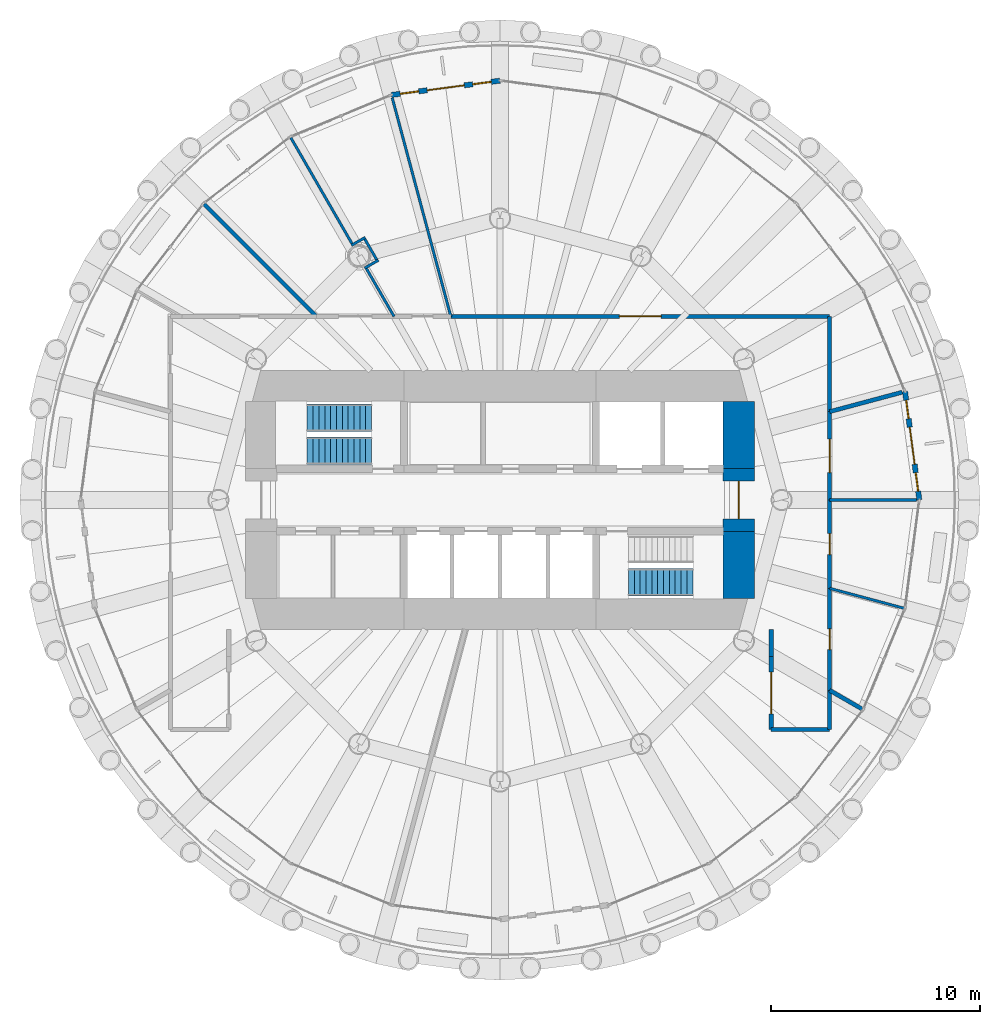
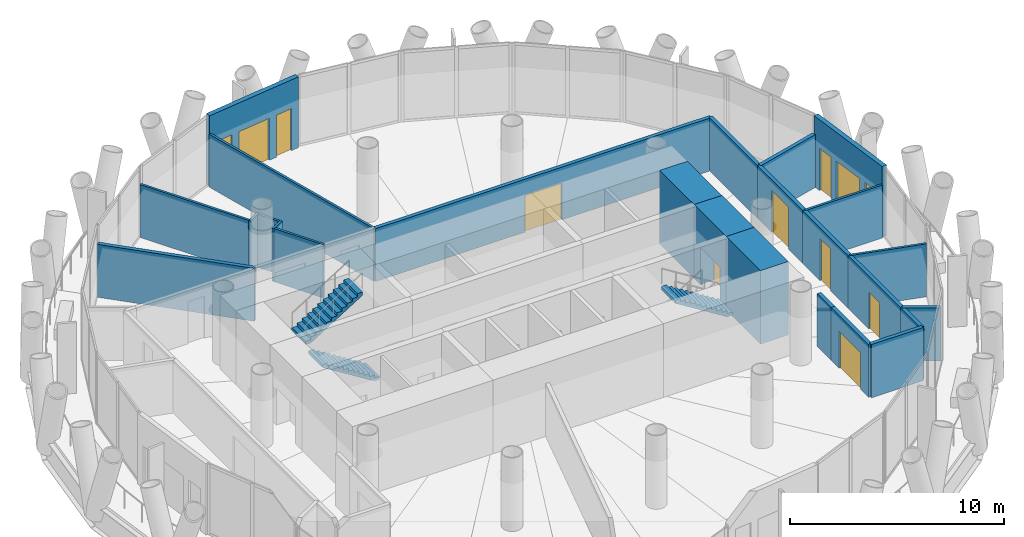
# One storey, part 10 of 14: 25 walls, 8 doors, 4 windows, 3 stair flights, 12 openings, 2 elements without a shape of their own.
"""IFC4 building model written with IfcOpenShell, lengths in metres."""

from ifc_helpers import new_model, si_unit, direction, frame, frame_2d, origin, place, context, subcontext, project, spatial, polyline, rectangle, outline, extrude, material, layer, layer_set, type_object, element, fill, aggregate, save


model = new_model("IFC4")

# Units and contexts
model_context = context("Model", 3, precision=1e-05, world=origin(), true_north=direction((0.0, 1.0)))
body_context = subcontext(model_context, "Body", "Model", "MODEL_VIEW")
ifc_project = project(units=[si_unit("LENGTHUNIT", "METRE"), si_unit("AREAUNIT", "SQUARE_METRE"), si_unit("VOLUMEUNIT", "CUBIC_METRE"), si_unit("PLANEANGLEUNIT", "RADIAN"), si_unit("MASSUNIT", "GRAM", prefix="KILO")], contexts=[model_context])

# Site, building, storey
site_placement = place(None, origin())
site = spatial("IfcSite", under=ifc_project, at=site_placement, CompositionType="ELEMENT")
building_placement = place(site_placement, origin())
building = spatial("IfcBuilding", under=site, at=building_placement, Name="Qaws Media Tower", CompositionType="ELEMENT")
storey_placement = place(building_placement, frame((0.0, 0.0, 227.60009765625)))
storey = spatial("IfcBuildingStorey", under=building, at=storey_placement, Name="L52", CompositionType="ELEMENT", Elevation=227.60009765625)

# Wall, openings, door, windows
ifc_material_1 = material(Name="Precast concrete, exposed finish", Category="concrete")
ifc_layer_1 = layer(ifc_material_1, 0.25)
ifc_layer_set_1 = layer_set([ifc_layer_1], Name="Balcony door wall 250")
wall_type_1 = type_object("IfcWallType", Name="Balcony door wall 250", PredefinedType="SOLIDWALL", material=ifc_layer_set_1)
wall_1_placement = place(storey_placement, frame((80.10009765625, 50.0, 0.0), z_axis=(0.0, 0.0, 1.0), x_axis=(-0.130560429487, 0.991440353351, 0.0)))
wall_1 = element("IfcWall", 1, at=wall_1_placement, inside=storey, type_object=wall_type_1, Name="W247 EW1 balcony door wall L52-01", PredefinedType="SOLIDWALL", context=body_context, shape_type="SweptSolid", body=[
    extrude(rectangle(XDim=5.2470703125, YDim=0.25, at=frame_2d((2.62353515625, 0.0))), origin(), (0.0, 0.0, 1.0), 4.039794921875),
])
opening_1_placement = place(wall_1_placement, frame((1.7236328125, 0.0, 0.0)))
opening_1 = element("IfcOpeningElement", 2, at=opening_1_placement, cuts=wall_1, Name="Opening D7", PredefinedType="OPENING", context=body_context, shape_type="SweptSolid", body=[
    extrude(rectangle(XDim=1.800048828125, YDim=2.39990234375, at=frame_2d((0.89990234375, 1.199951171875))), frame((0.0, 0.135009765625, 0.0), z_axis=(0.0, -1.0, 0.0), x_axis=(1.0, 0.0, 0.0)), (0.0, 0.0, 1.0), 0.27001953125),
])
opening_2_placement = place(wall_1_placement, frame((0.423583984375, 0.0, 0.0)))
opening_2 = element("IfcOpeningElement", 3, at=opening_2_placement, cuts=wall_1, Name="Opening W7", PredefinedType="OPENING", context=body_context, shape_type="SweptSolid", body=[
    extrude(rectangle(XDim=0.89990234375, YDim=2.39990234375, at=frame_2d((0.449951171875, 1.199951171875))), frame((0.0, 0.135009765625, 0.0), z_axis=(0.0, -1.0, 0.0), x_axis=(1.0, 0.0, 0.0)), (0.0, 0.0, 1.0), 0.27001953125),
])
opening_3_placement = place(wall_1_placement, frame((3.923583984375, 0.0, 0.0)))
opening_3 = element("IfcOpeningElement", 4, at=opening_3_placement, cuts=wall_1, Name="Opening W7", PredefinedType="OPENING", context=body_context, shape_type="SweptSolid", body=[
    extrude(rectangle(XDim=0.89990234375, YDim=2.39990234375, at=frame_2d((0.449951171875, 1.199951171875))), frame((0.0, 0.135009765625, 0.0), z_axis=(0.0, -1.0, 0.0), x_axis=(1.0, 0.0, 0.0)), (0.0, 0.0, 1.0), 0.27001953125),
])
ifc_material_2 = material(Name="Aluminium and clear glass", Category="aluminium")
door_type_1 = type_object("IfcDoorType", Name="Balcony door pair 1800", OperationType="DOUBLE_DOOR_SLIDING", PredefinedType="DOOR", material=ifc_material_2)
door_1_placement = place(opening_1_placement, origin())
door_1 = element("IfcDoor", 5, at=door_1_placement, inside=storey, type_object=door_type_1, Name="D7 balcony door L52-01 in wall W247", OperationType="DOUBLE_DOOR_SLIDING", OverallHeight=2.39990234375, OverallWidth=1.800048828125, PredefinedType="DOOR", context=body_context, shape_type="SweptSolid", body=[
    extrude(rectangle(XDim=1.800048828125, YDim=2.39990234375, at=frame_2d((0.89990234375, 1.199951171875))), frame((0.0, 0.02490234375, 0.0), z_axis=(0.0, -1.0, 0.0), x_axis=(1.0, 0.0, 0.0)), (0.0, 0.0, 1.0), 0.050048828125),
])
fill(opening_1, door_1)
ifc_material_3 = material(Name="Aluminium and clear glass", Category="aluminium")
window_type = type_object("IfcWindowType", Name="Balcony side window 900", PartitioningType="SINGLE_PANEL", PredefinedType="WINDOW", material=ifc_material_3)
window_1_placement = place(opening_2_placement, origin())
window_1 = element("IfcWindow", 6, at=window_1_placement, inside=storey, type_object=window_type, Name="W1 balcony side light L52-01L", OverallHeight=2.39990234375, OverallWidth=0.89990234375, PartitioningType="SINGLE_PANEL", PredefinedType="WINDOW", context=body_context, shape_type="SweptSolid", body=[
    extrude(rectangle(XDim=0.89990234375, YDim=2.39990234375, at=frame_2d((0.449951171875, 1.199951171875))), frame((0.0, 0.030029296875, 0.0), z_axis=(0.0, -1.0, 0.0), x_axis=(1.0, 0.0, 0.0)), (0.0, 0.0, 1.0), 0.06005859375),
])
fill(opening_2, window_1)
window_2_placement = place(opening_3_placement, origin())
window_2 = element("IfcWindow", 7, at=window_2_placement, inside=storey, type_object=window_type, Name="W1 balcony side light L52-01R", OverallHeight=2.39990234375, OverallWidth=0.89990234375, PartitioningType="SINGLE_PANEL", PredefinedType="WINDOW", context=body_context, shape_type="SweptSolid", body=[
    extrude(rectangle(XDim=0.89990234375, YDim=2.39990234375, at=frame_2d((0.449951171875, 1.199951171875))), frame((0.0, 0.030029296875, 0.0), z_axis=(0.0, -1.0, 0.0), x_axis=(1.0, 0.0, 0.0)), (0.0, 0.0, 1.0), 0.06005859375),
])
fill(opening_3, window_2)

wall_2_placement = place(storey_placement, frame((60.0, 70.10009765625, 0.0), z_axis=(0.0, 0.0, 1.0), x_axis=(-0.991440353351, -0.130560429487, 0.0)))
wall_2 = element("IfcWall", 8, at=wall_2_placement, inside=storey, type_object=wall_type_1, Name="W246 EW1 balcony door wall L52-07", PredefinedType="SOLIDWALL", context=body_context, shape_type="SweptSolid", body=[
    extrude(rectangle(XDim=5.2470703125, YDim=0.25, at=frame_2d((2.62353515625, 0.0))), origin(), (0.0, 0.0, 1.0), 4.039794921875),
])
opening_4_placement = place(wall_2_placement, frame((1.7236328125, 0.0, 0.0)))
opening_4 = element("IfcOpeningElement", 9, at=opening_4_placement, cuts=wall_2, Name="Opening D7", PredefinedType="OPENING", context=body_context, shape_type="SweptSolid", body=[
    extrude(rectangle(XDim=1.800048828125, YDim=2.39990234375, at=frame_2d((0.89990234375, 1.199951171875))), frame((0.0, 0.135009765625, 0.0), z_axis=(0.0, -1.0, 0.0), x_axis=(1.0, 0.0, 0.0)), (0.0, 0.0, 1.0), 0.27001953125),
])
opening_5_placement = place(wall_2_placement, frame((0.423583984375, 0.0, 0.0)))
opening_5 = element("IfcOpeningElement", 10, at=opening_5_placement, cuts=wall_2, Name="Opening W7", PredefinedType="OPENING", context=body_context, shape_type="SweptSolid", body=[
    extrude(rectangle(XDim=0.89990234375, YDim=2.39990234375, at=frame_2d((0.449951171875, 1.199951171875))), frame((0.0, 0.135009765625, 0.0), z_axis=(0.0, -1.0, 0.0), x_axis=(1.0, 0.0, 0.0)), (0.0, 0.0, 1.0), 0.27001953125),
])
opening_6_placement = place(wall_2_placement, frame((3.923583984375, 0.0, 0.0)))
opening_6 = element("IfcOpeningElement", 11, at=opening_6_placement, cuts=wall_2, Name="Opening W7", PredefinedType="OPENING", context=body_context, shape_type="SweptSolid", body=[
    extrude(rectangle(XDim=0.89990234375, YDim=2.39990234375, at=frame_2d((0.449951171875, 1.199951171875))), frame((0.0, 0.135009765625, 0.0), z_axis=(0.0, -1.0, 0.0), x_axis=(1.0, 0.0, 0.0)), (0.0, 0.0, 1.0), 0.27001953125),
])
door_2_placement = place(opening_4_placement, origin())
door_2 = element("IfcDoor", 12, at=door_2_placement, inside=storey, type_object=door_type_1, Name="D7 balcony door L52-07 in wall W246", OperationType="DOUBLE_DOOR_SLIDING", OverallHeight=2.39990234375, OverallWidth=1.800048828125, PredefinedType="DOOR", context=body_context, shape_type="SweptSolid", body=[
    extrude(rectangle(XDim=1.800048828125, YDim=2.39990234375, at=frame_2d((0.89990234375, 1.199951171875))), frame((0.0, 0.02490234375, 0.0), z_axis=(0.0, -1.0, 0.0), x_axis=(1.0, 0.0, 0.0)), (0.0, 0.0, 1.0), 0.050048828125),
])
fill(opening_4, door_2)
window_3_placement = place(opening_5_placement, origin())
window_3 = element("IfcWindow", 13, at=window_3_placement, inside=storey, type_object=window_type, Name="W1 balcony side light L52-07L", OverallHeight=2.39990234375, OverallWidth=0.89990234375, PartitioningType="SINGLE_PANEL", PredefinedType="WINDOW", context=body_context, shape_type="SweptSolid", body=[
    extrude(rectangle(XDim=0.89990234375, YDim=2.39990234375, at=frame_2d((0.449951171875, 1.199951171875))), frame((0.0, 0.030029296875, 0.0), z_axis=(0.0, -1.0, 0.0), x_axis=(1.0, 0.0, 0.0)), (0.0, 0.0, 1.0), 0.06005859375),
])
fill(opening_5, window_3)
window_4_placement = place(opening_6_placement, origin())
window_4 = element("IfcWindow", 14, at=window_4_placement, inside=storey, type_object=window_type, Name="W1 balcony side light L52-07R", OverallHeight=2.39990234375, OverallWidth=0.89990234375, PartitioningType="SINGLE_PANEL", PredefinedType="WINDOW", context=body_context, shape_type="SweptSolid", body=[
    extrude(rectangle(XDim=0.89990234375, YDim=2.39990234375, at=frame_2d((0.449951171875, 1.199951171875))), frame((0.0, 0.030029296875, 0.0), z_axis=(0.0, -1.0, 0.0), x_axis=(1.0, 0.0, 0.0)), (0.0, 0.0, 1.0), 0.06005859375),
])
fill(opening_6, window_4)

# Wall
ifc_material_4 = material(Name="Concrete C60/75", Category="concrete")
ifc_layer_2 = layer(ifc_material_4, 1.5)
ifc_layer_set_2 = layer_set([ifc_layer_2], Name="Core wall 1500")
wall_type_2 = type_object("IfcWallType", Name="Core wall 1500", PredefinedType="SHEAR", material=ifc_layer_set_2)
wall_3_placement = place(storey_placement, frame((71.449951171875, 45.280029296875, 0.0), z_axis=(0.0, 0.0, 1.0), x_axis=(0.0, 1.0, 0.0)))
element("IfcWall", 15, at=wall_3_placement, inside=storey, type_object=wall_type_2, Name="W383 SW13 core wall ES L52", PredefinedType="SHEAR", context=body_context, shape_type="SweptSolid", body=[
    extrude(rectangle(XDim=3.219970703125, YDim=1.5, at=frame_2d((1.60986328125, 0.0))), origin(), (0.0, 0.0, 1.0), 4.199951171875),
])

# Wall, opening, door
wall_4_placement = place(storey_placement, frame((71.449951171875, 48.5, 0.0), z_axis=(0.0, 0.0, 1.0), x_axis=(0.0, 1.0, 0.0)))
wall_4 = element("IfcWall", 16, at=wall_4_placement, inside=storey, type_object=wall_type_2, Name="W384 SW13 core wall E L52", PredefinedType="SHEAR", context=body_context, shape_type="SweptSolid", body=[
    extrude(rectangle(XDim=3.0, YDim=1.5, at=frame_2d((1.5, 0.0))), origin(), (0.0, 0.0, 1.0), 4.199951171875),
])
opening_7_placement = place(wall_4_placement, frame((0.60009765625, 0.0, 0.0)))
opening_7 = element("IfcOpeningElement", 17, at=opening_7_placement, cuts=wall_4, Name="Opening D2", PredefinedType="OPENING", context=body_context, shape_type="SweptSolid", body=[
    extrude(rectangle(XDim=1.800048828125, YDim=2.10009765625, at=frame_2d((0.89990234375, 1.050048828125))), frame((0.0, 0.760009765625, 0.0), z_axis=(0.0, -1.0, 0.0), x_axis=(1.0, 0.0, 0.0)), (0.0, 0.0, 1.0), 1.52001953125),
])
ifc_material_5 = material(Name="Steel and glass, fire rated", Category="steel")
door_type_2 = type_object("IfcDoorType", Name="Lobby door pair 1800 FD60", OperationType="DOUBLE_DOOR_DOUBLE_SWING", PredefinedType="DOOR", material=ifc_material_5)
door_3_placement = place(opening_7_placement, origin())
door_3 = element("IfcDoor", 18, at=door_3_placement, inside=storey, type_object=door_type_2, Name="D2 core lobby door E L52 in wall W384", OperationType="DOUBLE_DOOR_DOUBLE_SWING", OverallHeight=2.10009765625, OverallWidth=1.800048828125, PredefinedType="DOOR", context=body_context, shape_type="SweptSolid", body=[
    extrude(rectangle(XDim=1.800048828125, YDim=2.10009765625, at=frame_2d((0.89990234375, 1.050048828125))), frame((0.0, 0.02490234375, 0.0), z_axis=(0.0, -1.0, 0.0), x_axis=(1.0, 0.0, 0.0)), (0.0, 0.0, 1.0), 0.050048828125),
])
fill(opening_7, door_3)

# Walls
wall_5_placement = place(storey_placement, frame((71.449951171875, 51.5, 0.0), z_axis=(0.0, 0.0, 1.0), x_axis=(0.0, 1.0, 0.0)))
element("IfcWall", 19, at=wall_5_placement, inside=storey, type_object=wall_type_2, Name="W385 SW13 core wall EN L52", PredefinedType="SHEAR", context=body_context, shape_type="SweptSolid", body=[
    extrude(rectangle(XDim=3.219970703125, YDim=1.5, at=frame_2d((1.60986328125, 0.0))), origin(), (0.0, 0.0, 1.0), 4.199951171875),
])
ifc_material_6 = material(Name="Two layers gypsum board each side on 75 studs, insulated", Category="gypsum")
ifc_layer_3 = layer(ifc_material_6, 0.125)
ifc_layer_set_3 = layer_set([ifc_layer_3], Name="Meeting room partition 125 Rw 48")
wall_type_3 = type_object("IfcWallType", Name="Meeting room partition 125 Rw 48", PredefinedType="PARTITIONING", material=ifc_layer_set_3)
wall_6_placement = place(storey_placement, frame((75.800048828125, 50.0, 0.0), z_axis=(0.0, 0.0, 1.0), x_axis=(1.0, 0.0, 0.0)))
element("IfcWall", 20, at=wall_6_placement, inside=storey, type_object=wall_type_3, Name="W613 IW5 partition L52", PredefinedType="PARTITIONING", context=body_context, shape_type="SweptSolid", body=[
    extrude(rectangle(XDim=4.159912109375, YDim=0.125, at=frame_2d((2.080078125, 0.0))), origin(), (0.0, 0.0, 1.0), 3.02001953125),
])
wall_7_placement = place(storey_placement, frame((57.644775390625, 58.789794921875, 0.0), z_axis=(0.0, 0.0, 1.0), x_axis=(-0.258819612444, 0.96592567427, 0.0)))
element("IfcWall", 21, at=wall_7_placement, inside=storey, type_object=wall_type_3, Name="W612 IW5 partition L52", PredefinedType="PARTITIONING", context=body_context, shape_type="SweptSolid", body=[
    extrude(rectangle(XDim=10.860107421875, YDim=0.125, at=frame_2d((5.43017578125, 0.0))), origin(), (0.0, 0.0, 1.0), 3.02001953125),
])
for number, where, z_axis, x_axis, name in (
    (22, (53.510986328125, 61.114013671875, 0.0), (0.0, 0.0, 1.0), (0.866036909293, 0.499980071345, 0.0), "W609 IW5 partition return L52"),
    (23, (52.880615234375, 62.2060546875, 0.0), (0.0, 0.0, 1.0), (0.866036909293, 0.499980071345, 0.0), "W607 IW5 partition return L52"),
):
    element("IfcWall", number, at=place(storey_placement, frame(where, z_axis=z_axis, x_axis=x_axis)), inside=storey, type_object=wall_type_3, Name=name, PredefinedType="PARTITIONING", context=body_context, shape_type="SweptSolid", body=[
        extrude(rectangle(XDim=0.765625, YDim=0.125, at=frame_2d((0.3828125, 0.0))), origin(), (0.0, 0.0, 1.0), 3.02001953125),
    ])
wall_8_placement = place(storey_placement, frame((54.088623046875, 61.519775390625, 0.0), z_axis=(0.0, 0.0, 1.0), x_axis=(-0.499976747263, 0.866038828342, 0.0)))
element("IfcWall", 24, at=wall_8_placement, inside=storey, type_object=wall_type_3, Name="W610 IW5 partition return L52", PredefinedType="PARTITIONING", context=body_context, shape_type="SweptSolid", body=[
    extrude(rectangle(XDim=1.1357421875, YDim=0.125, at=frame_2d((0.56787109375, 0.0))), origin(), (0.0, 0.0, 1.0), 3.02001953125),
])
wall_9_placement = place(storey_placement, frame((54.919921875, 58.798828125, 0.0), z_axis=(0.0, 0.0, 1.0), x_axis=(-0.499977931934, 0.866038144413, 0.0)))
element("IfcWall", 25, at=wall_9_placement, inside=storey, type_object=wall_type_3, Name="W611 IW5 partition L52", PredefinedType="PARTITIONING", context=body_context, shape_type="SweptSolid", body=[
    extrude(rectangle(XDim=2.64697265625, YDim=0.125, at=frame_2d((1.323486328125, 0.0))), origin(), (0.0, 0.0, 1.0), 3.039794921875),
])
wall_10_placement = place(storey_placement, frame((52.903564453125, 62.29150390625, 0.0), z_axis=(0.0, 0.0, 1.0), x_axis=(-0.500005810984, 0.866022048785, 0.0)))
element("IfcWall", 26, at=wall_10_placement, inside=storey, type_object=wall_type_3, Name="W608 IW5 partition L52", PredefinedType="PARTITIONING", context=body_context, shape_type="SweptSolid", body=[
    extrude(rectangle(XDim=5.8671875, YDim=0.125, at=frame_2d((2.93359375, 0.0))), origin(), (0.0, 0.0, 1.0), 3.02001953125),
])
wall_11_placement = place(storey_placement, frame((75.802490234375, 45.765625, 0.0), z_axis=(0.0, 0.0, 1.0), x_axis=(0.965934209463, -0.258787756644, 0.0)))
element("IfcWall", 27, at=wall_11_placement, inside=storey, type_object=wall_type_3, Name="W614 IW5 partition L52", PredefinedType="PARTITIONING", context=body_context, shape_type="SweptSolid", body=[
    extrude(rectangle(XDim=3.699951171875, YDim=0.125, at=frame_2d((1.85009765625, 0.0))), origin(), (0.0, 0.0, 1.0), 3.02001953125),
])

# Wall, opening, door
ifc_material_7 = material(Name="Gypsum board on galvanised metal studs, acoustic double stud, deflection head", Category="gypsum")
ifc_layer_4 = layer(ifc_material_7, 0.199951171875)
ifc_layer_set_4 = layer_set([ifc_layer_4], Name="Room partition 200")
wall_type_4 = type_object("IfcWallType", Name="Room partition 200", PredefinedType="PARTITIONING", material=ifc_layer_set_4)
wall_12_placement = place(storey_placement, frame((57.64208984375, 58.800048828125, 0.0), z_axis=(0.0, 0.0, 1.0), x_axis=(1.0, 0.0, 0.0)))
wall_12 = element("IfcWall", 28, at=wall_12_placement, inside=storey, type_object=wall_type_4, Name="W1618 IW3 partition L52", PredefinedType="PARTITIONING", context=body_context, shape_type="SweptSolid", body=[
    extrude(rectangle(XDim=18.157958984375, YDim=0.199951171875, at=frame_2d((9.0791015625, 0.0))), origin(), (0.0, 0.0, 1.0), 3.02001953125),
])
opening_8_placement = place(wall_12_placement, frame((8.0791015625, 0.0, 0.0)))
opening_8 = element("IfcOpeningElement", 29, at=opening_8_placement, cuts=wall_12, Name="Opening D6", PredefinedType="OPENING", context=body_context, shape_type="SweptSolid", body=[
    extrude(rectangle(XDim=2.0, YDim=2.10009765625, at=frame_2d((1.0, 1.050048828125))), frame((0.0, 0.10986328125, 0.0), z_axis=(0.0, -1.0, 0.0), x_axis=(1.0, 0.0, 0.0)), (0.0, 0.0, 1.0), 0.219970703125),
])
ifc_material_8 = material(Name="Steel, acoustic, fire rated", Category="steel")
door_type_3 = type_object("IfcDoorType", Name="Room door pair 2000", OperationType="DOUBLE_DOOR_DOUBLE_SWING", PredefinedType="DOOR", material=ifc_material_8)
door_4_placement = place(opening_8_placement, origin())
door_4 = element("IfcDoor", 30, at=door_4_placement, inside=storey, type_object=door_type_3, Name="D6 Tenant office door L52 in wall W1618", OperationType="DOUBLE_DOOR_DOUBLE_SWING", OverallHeight=2.10009765625, OverallWidth=2.0, PredefinedType="DOOR", context=body_context, shape_type="SweptSolid", body=[
    extrude(rectangle(XDim=2.0, YDim=2.10009765625, at=frame_2d((1.0, 1.050048828125))), frame((0.0, 0.02490234375, 0.0), z_axis=(0.0, -1.0, 0.0), x_axis=(1.0, 0.0, 0.0)), (0.0, 0.0, 1.0), 0.050048828125),
])
fill(opening_8, door_4)

# Wall
wall_13_placement = place(storey_placement, frame((75.800048828125, 58.800048828125, 0.0), z_axis=(0.0, 0.0, 1.0), x_axis=(0.0, -1.0, 0.0)))
element("IfcWall", 31, at=wall_13_placement, inside=storey, type_object=wall_type_4, Name="W1625 IW3 partition L52", PredefinedType="PARTITIONING", context=body_context, shape_type="SweptSolid", body=[
    extrude(rectangle(XDim=4.56640625, YDim=0.199951171875, at=frame_2d((2.283203125, 0.0))), origin(), (0.0, 0.0, 1.0), 3.02001953125),
])

# Wall, opening, door
wall_14_placement = place(storey_placement, frame((75.800048828125, 54.233642578125, 0.0), z_axis=(0.0, 0.0, 1.0), x_axis=(0.0, -1.0, 0.0)))
wall_14 = element("IfcWall", 32, at=wall_14_placement, inside=storey, type_object=wall_type_4, Name="W1624 IW3 partition L52", PredefinedType="PARTITIONING", context=body_context, shape_type="SweptSolid", body=[
    extrude(rectangle(XDim=4.233642578125, YDim=0.199951171875, at=frame_2d((2.11669921875, 0.0))), origin(), (0.0, 0.0, 1.0), 3.02001953125),
])
opening_9_placement = place(wall_14_placement, frame((1.31689453125, 0.0, 0.0)))
opening_9 = element("IfcOpeningElement", 33, at=opening_9_placement, cuts=wall_14, Name="Opening D16", PredefinedType="OPENING", context=body_context, shape_type="SweptSolid", body=[
    extrude(rectangle(XDim=1.60009765625, YDim=2.39990234375, at=frame_2d((0.800048828125, 1.199951171875))), frame((0.0, 0.10986328125, 0.0), z_axis=(0.0, -1.0, 0.0), x_axis=(1.0, 0.0, 0.0)), (0.0, 0.0, 1.0), 0.219970703125),
])
ifc_material_9 = material(Name="Glazed aluminium, fire rated", Category="aluminium")
door_type_4 = type_object("IfcDoorType", Name="Tenant entrance door pair 1600x2400", OperationType="DOUBLE_DOOR_DOUBLE_SWING", PredefinedType="DOOR", material=ifc_material_9)
door_5_placement = place(opening_9_placement, origin())
door_5 = element("IfcDoor", 34, at=door_5_placement, inside=storey, type_object=door_type_4, Name="D16 Tenant reception door L52 in wall W1624", OperationType="DOUBLE_DOOR_DOUBLE_SWING", OverallHeight=2.39990234375, OverallWidth=1.60009765625, PredefinedType="DOOR", context=body_context, shape_type="SweptSolid", body=[
    extrude(rectangle(XDim=1.60009765625, YDim=2.39990234375, at=frame_2d((0.800048828125, 1.199951171875))), frame((0.0, 0.02490234375, 0.0), z_axis=(0.0, -1.0, 0.0), x_axis=(1.0, 0.0, 0.0)), (0.0, 0.0, 1.0), 0.050048828125),
])
fill(opening_9, door_5)

wall_15_placement = place(storey_placement, frame((75.800048828125, 50.0, 0.0), z_axis=(0.0, 0.0, 1.0), x_axis=(0.0, -1.0, 0.0)))
wall_15 = element("IfcWall", 35, at=wall_15_placement, inside=storey, type_object=wall_type_4, Name="W1623 IW3 partition L52", PredefinedType="PARTITIONING", context=body_context, shape_type="SweptSolid", body=[
    extrude(rectangle(XDim=4.233642578125, YDim=0.199951171875, at=frame_2d((2.11669921875, 0.0))), origin(), (0.0, 0.0, 1.0), 3.02001953125),
])
opening_10_placement = place(wall_15_placement, frame((1.61669921875, 0.0, 0.0)))
opening_10 = element("IfcOpeningElement", 36, at=opening_10_placement, cuts=wall_15, Name="Opening D13", PredefinedType="OPENING", context=body_context, shape_type="SweptSolid", body=[
    extrude(rectangle(XDim=1.0, YDim=2.39990234375, at=frame_2d((0.5, 1.199951171875))), frame((0.0, 0.10986328125, 0.0), z_axis=(0.0, -1.0, 0.0), x_axis=(1.0, 0.0, 0.0)), (0.0, 0.0, 1.0), 0.219970703125),
])
ifc_material_10 = material(Name="Frameless toughened glass, acoustic seals", Category="glass")
door_type_5 = type_object("IfcDoorType", Name="Glazed meeting room door 1000x2400", OperationType="SINGLE_SWING_LEFT", PredefinedType="DOOR", material=ifc_material_10)
door_6_placement = place(opening_10_placement, origin())
door_6 = element("IfcDoor", 37, at=door_6_placement, inside=storey, type_object=door_type_5, Name="D13 Meeting room door L52 in wall W1623", OperationType="SINGLE_SWING_LEFT", OverallHeight=2.39990234375, OverallWidth=1.0, PredefinedType="DOOR", context=body_context, shape_type="SweptSolid", body=[
    extrude(rectangle(XDim=1.0, YDim=2.39990234375, at=frame_2d((0.5, 1.199951171875))), frame((0.0, 0.02490234375, 0.0), z_axis=(0.0, -1.0, 0.0), x_axis=(1.0, 0.0, 0.0)), (0.0, 0.0, 1.0), 0.050048828125),
])
fill(opening_10, door_6)

wall_16_placement = place(storey_placement, frame((75.800048828125, 45.766357421875, 0.0), z_axis=(0.0, 0.0, 1.0), x_axis=(0.0, -1.0, 0.0)))
wall_16 = element("IfcWall", 38, at=wall_16_placement, inside=storey, type_object=wall_type_4, Name="W1622 IW3 partition L52", PredefinedType="PARTITIONING", context=body_context, shape_type="SweptSolid", body=[
    extrude(rectangle(XDim=4.888427734375, YDim=0.199951171875, at=frame_2d((2.4443359375, 0.0))), origin(), (0.0, 0.0, 1.0), 3.02001953125),
])
opening_11_placement = place(wall_16_placement, frame((1.9443359375, 0.0, 0.0)))
opening_11 = element("IfcOpeningElement", 39, at=opening_11_placement, cuts=wall_16, Name="Opening D5", PredefinedType="OPENING", context=body_context, shape_type="SweptSolid", body=[
    extrude(rectangle(XDim=1.0, YDim=2.10009765625, at=frame_2d((0.5, 1.050048828125))), frame((0.0, 0.10986328125, 0.0), z_axis=(0.0, -1.0, 0.0), x_axis=(1.0, 0.0, 0.0)), (0.0, 0.0, 1.0), 0.219970703125),
])
ifc_material_11 = material(Name="Timber veneered, acoustic seal", Category="wood")
door_type_6 = type_object("IfcDoorType", Name="Room door 1000", OperationType="SINGLE_SWING_LEFT", PredefinedType="DOOR", material=ifc_material_11)
door_7_placement = place(opening_11_placement, origin())
door_7 = element("IfcDoor", 40, at=door_7_placement, inside=storey, type_object=door_type_6, Name="D5 Tenant office door L52 in wall W1622", OperationType="SINGLE_SWING_LEFT", OverallHeight=2.10009765625, OverallWidth=1.0, PredefinedType="DOOR", context=body_context, shape_type="SweptSolid", body=[
    extrude(rectangle(XDim=1.0, YDim=2.10009765625, at=frame_2d((0.5, 1.050048828125))), frame((0.0, 0.02490234375, 0.0), z_axis=(0.0, -1.0, 0.0), x_axis=(1.0, 0.0, 0.0)), (0.0, 0.0, 1.0), 0.050048828125),
])
fill(opening_11, door_7)

# Walls
wall_17_placement = place(storey_placement, frame((75.800048828125, 40.8779296875, 0.0), z_axis=(0.0, 0.0, 1.0), x_axis=(0.0, -1.0, 0.0)))
element("IfcWall", 41, at=wall_17_placement, inside=storey, type_object=wall_type_4, Name="W1621 IW3 partition L52", PredefinedType="PARTITIONING", context=body_context, shape_type="SweptSolid", body=[
    extrude(rectangle(XDim=1.8779296875, YDim=0.199951171875, at=frame_2d((0.93896484375, 0.0))), origin(), (0.0, 0.0, 1.0), 3.02001953125),
])
wall_18_placement = place(storey_placement, frame((75.800048828125, 39.0, 0.0), z_axis=(0.0, 0.0, 1.0), x_axis=(-1.0, 0.0, 0.0)))
element("IfcWall", 42, at=wall_18_placement, inside=storey, type_object=wall_type_4, Name="W1231 IW3 partition L52", PredefinedType="PARTITIONING", context=body_context, shape_type="SweptSolid", body=[
    extrude(rectangle(XDim=2.800048828125, YDim=0.199951171875, at=frame_2d((1.39990234375, 0.0))), origin(), (0.0, 0.0, 1.0), 3.039794921875),
])

# Wall, opening, door
wall_19_placement = place(storey_placement, frame((73.0, 39.0, 0.0), z_axis=(0.0, 0.0, 1.0), x_axis=(0.0, 1.0, 0.0)))
wall_19 = element("IfcWall", 43, at=wall_19_placement, inside=storey, type_object=wall_type_4, Name="W1602 IW3 partition L52", PredefinedType="PARTITIONING", context=body_context, shape_type="SweptSolid", body=[
    extrude(rectangle(XDim=3.494384765625, YDim=0.199951171875, at=frame_2d((1.7470703125, 0.0))), origin(), (0.0, 0.0, 1.0), 3.02001953125),
])
opening_12_placement = place(wall_19_placement, frame((0.747314453125, 0.0, 0.0)))
opening_12 = element("IfcOpeningElement", 44, at=opening_12_placement, cuts=wall_19, Name="Opening D6", PredefinedType="OPENING", context=body_context, shape_type="SweptSolid", body=[
    extrude(rectangle(XDim=2.0, YDim=2.10009765625, at=frame_2d((1.0, 1.050048828125))), frame((0.0, 0.10986328125, 0.0), z_axis=(0.0, -1.0, 0.0), x_axis=(1.0, 0.0, 0.0)), (0.0, 0.0, 1.0), 0.219970703125),
])
door_8_placement = place(opening_12_placement, origin())
door_8 = element("IfcDoor", 45, at=door_8_placement, inside=storey, type_object=door_type_3, Name="D6 Tenant office door L52 in wall W1602", OperationType="DOUBLE_DOOR_DOUBLE_SWING", OverallHeight=2.10009765625, OverallWidth=2.0, PredefinedType="DOOR", context=body_context, shape_type="SweptSolid", body=[
    extrude(rectangle(XDim=2.0, YDim=2.10009765625, at=frame_2d((1.0, 1.050048828125))), frame((0.0, 0.02490234375, 0.0), z_axis=(0.0, -1.0, 0.0), x_axis=(1.0, 0.0, 0.0)), (0.0, 0.0, 1.0), 0.050048828125),
])
fill(opening_12, door_8)

# Walls
wall_20_placement = place(storey_placement, frame((73.0, 42.494384765625, 0.0), z_axis=(0.0, 0.0, 1.0), x_axis=(0.0, 1.0, 0.0)))
element("IfcWall", 46, at=wall_20_placement, inside=storey, type_object=wall_type_4, Name="W1603 IW3 partition L52", PredefinedType="PARTITIONING", context=body_context, shape_type="SweptSolid", body=[
    extrude(rectangle(XDim=1.3056640625, YDim=0.199951171875, at=frame_2d((0.65283203125, 0.0))), origin(), (0.0, 0.0, 1.0), 3.02001953125),
])
wall_21_placement = place(storey_placement, frame((75.802490234375, 54.234375, 0.0), z_axis=(0.0, 0.0, 1.0), x_axis=(0.96593261366, 0.258793712962, 0.0)))
element("IfcWall", 47, at=wall_21_placement, inside=storey, type_object=wall_type_4, Name="W1626 IW3 partition L52", PredefinedType="PARTITIONING", context=body_context, shape_type="SweptSolid", body=[
    extrude(rectangle(XDim=3.599853515625, YDim=0.199951171875, at=frame_2d((1.7998046875, 0.0))), origin(), (0.0, 0.0, 1.0), 3.02001953125),
])
wall_22_placement = place(storey_placement, frame((51.20361328125, 58.79638671875, 0.0), z_axis=(0.0, 0.0, 1.0), x_axis=(-0.707106781187, 0.707106781187, 0.0)))
element("IfcWall", 48, at=wall_22_placement, inside=storey, type_object=wall_type_4, Name="W1616 IW3 partition L52", PredefinedType="PARTITIONING", context=body_context, shape_type="SweptSolid", body=[
    extrude(rectangle(XDim=7.6201171875, YDim=0.199951171875, at=frame_2d((3.81005859375, 0.0))), origin(), (0.0, 0.0, 1.0), 3.02001953125),
])
wall_23_placement = place(storey_placement, frame((75.79638671875, 40.8798828125, 0.0), z_axis=(0.0, 0.0, 1.0), x_axis=(0.866047089031, -0.499962438169, 0.0)))
element("IfcWall", 49, at=wall_23_placement, inside=storey, type_object=wall_type_4, Name="W1620 IW3 partition L52", PredefinedType="PARTITIONING", context=body_context, shape_type="SweptSolid", body=[
    extrude(rectangle(XDim=1.820068359375, YDim=0.199951171875, at=frame_2d((0.91015625, 0.0))), origin(), (0.0, 0.0, 1.0), 3.02001953125),
])

# Stair, stair flights
ifc_material_12 = material(Name="Concrete C40/50", Category="concrete")
stair_type = type_object("IfcStairType", Name="Exit stair", PredefinedType="HALF_TURN_STAIR", material=ifc_material_12)
stair_1_placement = place(storey_placement, origin())
stair_1 = element("IfcStair", 50, at=stair_1_placement, inside=storey, type_object=stair_type, Name="S1 exit stair L52", PredefinedType="HALF_TURN_STAIR")
ifc_material_13 = material(Name="Concrete C40/50", Category="concrete")
stair_flight_type = type_object("IfcStairFlightType", Name="Stair flight 1310", PredefinedType="STRAIGHT", material=ifc_material_13)
stair_flight_1_placement = place(storey_placement, frame((53.840087890625, 52.35498046875, 0.0), z_axis=(0.0, 0.0, 1.0), x_axis=(-1.0, 0.0, 0.0)))
stair_flight_1 = element("IfcStairFlight", 51, at=stair_flight_1_placement, type_object=stair_flight_type, Name="S1 flight 1", NumberOfRisers=12, NumberOfTreads=11, PredefinedType="STRAIGHT", RiserHeight=0.175, TreadLength=0.28, context=body_context, shape_type="SweptSolid", body=[
    extrude(outline(polyline([(0.0, 0.0), (0.0, 0.175048828125), (0.280029296875, 0.175048828125), (0.280029296875, 0.35009765625), (0.56005859375, 0.35009765625), (0.56005859375, 0.52490234375), (0.840087890625, 0.52490234375), (0.840087890625, 0.699951171875), (1.1201171875, 0.699951171875), (1.1201171875, 0.875), (1.39990234375, 0.875), (1.39990234375, 1.050048828125), (1.679931640625, 1.050048828125), (1.679931640625, 1.22509765625), (1.9599609375, 1.22509765625), (1.9599609375, 1.39990234375), (2.239990234375, 1.39990234375), (2.239990234375, 1.574951171875), (2.52001953125, 1.574951171875), (2.52001953125, 1.75), (2.800048828125, 1.75), (2.800048828125, 1.925048828125), (3.080078125, 1.925048828125), (3.080078125, 2.10009765625), (3.080078125, 1.748291015625), (0.28271484375, 0.0), (0.0, 0.0)])), frame((0.0, 0.655029296875, 0.0), z_axis=(0.0, -1.0, 0.0), x_axis=(1.0, 0.0, 0.0)), (0.0, 0.0, 1.0), 1.31005859375),
])
stair_flight_2_placement = place(storey_placement, frame((50.760009765625, 53.945068359375, 2.099853515625), z_axis=(0.0, 0.0, 1.0), x_axis=(1.0, 0.0, 0.0)))
stair_flight_2 = element("IfcStairFlight", 52, at=stair_flight_2_placement, type_object=stair_flight_type, Name="S1 flight 2", NumberOfRisers=12, NumberOfTreads=11, PredefinedType="STRAIGHT", RiserHeight=0.175, TreadLength=0.28, context=body_context, shape_type="SweptSolid", body=[
    extrude(outline(polyline([(0.0, 0.0), (0.0, 0.175048828125), (0.280029296875, 0.175048828125), (0.280029296875, 0.35009765625), (0.56005859375, 0.35009765625), (0.56005859375, 0.52490234375), (0.840087890625, 0.52490234375), (0.840087890625, 0.699951171875), (1.1201171875, 0.699951171875), (1.1201171875, 0.875), (1.39990234375, 0.875), (1.39990234375, 1.050048828125), (1.679931640625, 1.050048828125), (1.679931640625, 1.22509765625), (1.9599609375, 1.22509765625), (1.9599609375, 1.39990234375), (2.239990234375, 1.39990234375), (2.239990234375, 1.574951171875), (2.52001953125, 1.574951171875), (2.52001953125, 1.75), (2.800048828125, 1.75), (2.800048828125, 1.925048828125), (3.080078125, 1.925048828125), (3.080078125, 2.10009765625), (3.080078125, 1.748291015625), (0.28271484375, 0.0), (0.0, 0.0)])), frame((0.0, 0.655029296875, 0.0), z_axis=(0.0, -1.0, 0.0), x_axis=(1.0, 0.0, 0.0)), (0.0, 0.0, 1.0), 1.31005859375),
])
aggregate(stair_1, [stair_flight_1, stair_flight_2])

# Stair, stair flight
stair_2_placement = place(storey_placement, origin())
stair_2 = element("IfcStair", 53, at=stair_2_placement, inside=storey, type_object=stair_type, Name="S2 exit stair L52", PredefinedType="HALF_TURN_STAIR")
stair_flight_3_placement = place(storey_placement, frame((69.239990234375, 46.054931640625, 2.099853515625), z_axis=(0.0, 0.0, 1.0), x_axis=(-1.0, 0.0, 0.0)))
stair_flight_3 = element("IfcStairFlight", 54, at=stair_flight_3_placement, type_object=stair_flight_type, Name="S2 flight 2", NumberOfRisers=12, NumberOfTreads=11, PredefinedType="STRAIGHT", RiserHeight=0.175, TreadLength=0.28, context=body_context, shape_type="SweptSolid", body=[
    extrude(outline(polyline([(0.0, 0.0), (0.0, 0.175048828125), (0.280029296875, 0.175048828125), (0.280029296875, 0.35009765625), (0.56005859375, 0.35009765625), (0.56005859375, 0.52490234375), (0.840087890625, 0.52490234375), (0.840087890625, 0.699951171875), (1.1201171875, 0.699951171875), (1.1201171875, 0.875), (1.39990234375, 0.875), (1.39990234375, 1.050048828125), (1.679931640625, 1.050048828125), (1.679931640625, 1.22509765625), (1.9599609375, 1.22509765625), (1.9599609375, 1.39990234375), (2.239990234375, 1.39990234375), (2.239990234375, 1.574951171875), (2.52001953125, 1.574951171875), (2.52001953125, 1.75), (2.800048828125, 1.75), (2.800048828125, 1.925048828125), (3.080078125, 1.925048828125), (3.080078125, 2.10009765625), (3.080078125, 1.748291015625), (0.28271484375, 0.0), (0.0, 0.0)])), frame((0.0, 0.655029296875, 0.0), z_axis=(0.0, -1.0, 0.0), x_axis=(1.0, 0.0, 0.0)), (0.0, 0.0, 1.0), 1.31005859375),
])
aggregate(stair_2, [stair_flight_3])

save(model, "model.ifc")
